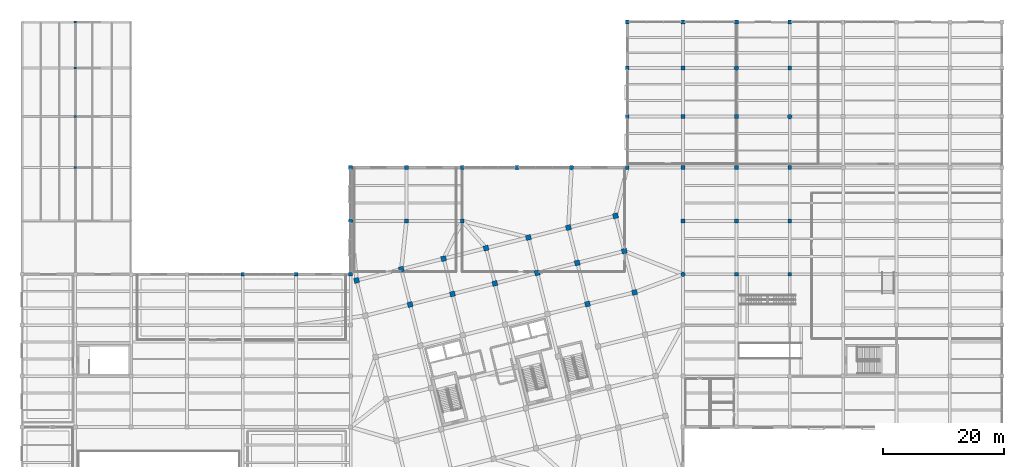
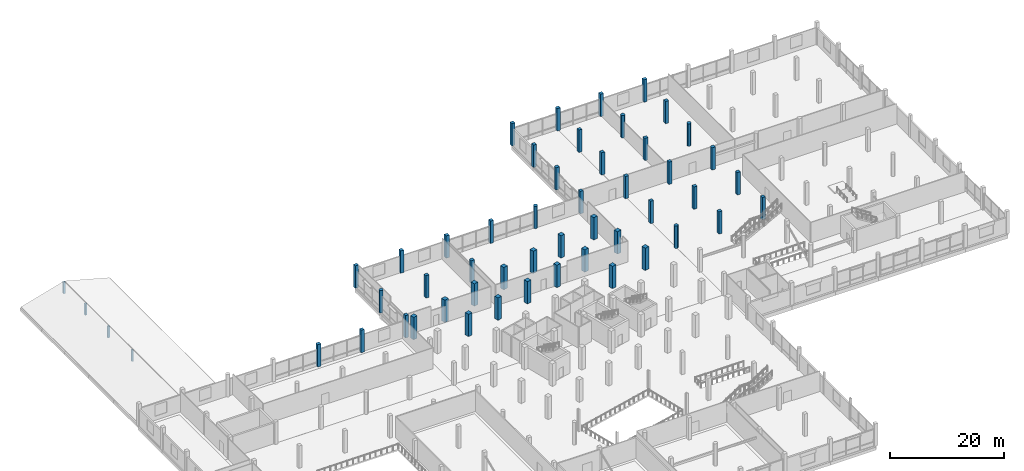
# One storey, part 8 of 71: 52 columns.
"""IFC4 building model written with IfcOpenShell, lengths in metres."""

from ifc_helpers import new_model, si_unit, direction, frame, origin, origin_2d, place, context, subcontext, project, spatial, rectangle, circle, extrude, material, material_profile, profile_set, type_object, element, save


model = new_model("IFC4")

# Units and contexts
model_context = context("Model", 3, precision=1e-05, world=origin(), true_north=direction((0.0, 1.0)))
body_context = subcontext(model_context, "Body", "Model", "MODEL_VIEW")
ifc_project = project(units=[si_unit("LENGTHUNIT", "METRE"), si_unit("AREAUNIT", "SQUARE_METRE"), si_unit("VOLUMEUNIT", "CUBIC_METRE"), si_unit("PLANEANGLEUNIT", "RADIAN"), si_unit("MASSUNIT", "GRAM", prefix="KILO")], contexts=[model_context])

# Site, building, storey
site_placement = place(None, origin())
site = spatial("IfcSite", under=ifc_project, at=site_placement, CompositionType="ELEMENT")
building_placement = place(site_placement, origin())
building = spatial("IfcBuilding", under=site, at=building_placement, Name="Meriwether Solvik Hall", CompositionType="ELEMENT")
storey_placement = place(building_placement, frame((0.0, 0.0, 5.10009765625)))
storey = spatial("IfcBuildingStorey", under=building, at=storey_placement, Name="L01", CompositionType="ELEMENT", Elevation=5.10009765625)

# Columns
ifc_material_1 = material(Name="Glulam Douglas-Fir L2 GL28c", Category="wood")
ifc_material_profile_1 = material_profile(ifc_material_1, rectangle(XDim=0.364990234375, YDim=0.364990234375, at=origin_2d()), Name="GLC-365X365")
ifc_profile_set_1 = profile_set([ifc_material_profile_1], Name="Glulam Douglas-Fir L2 GL28c")
column_type_1 = type_object("IfcColumnType", Name="COL-GL-365X365", PredefinedType="COLUMN", material=ifc_profile_set_1)
for number, where, z_axis, x_axis, name in (
    (1, (14.0, 92.800048828125, 0.0), (0.0, 0.0, 1.0), (1.0, 0.0, 0.0), "Roof Ridge Post 2/K (L01)"),
    (2, (14.0, 101.199951171875, 0.0), (0.0, 0.0, 1.0), (1.0, 0.0, 0.0), "Roof Ridge Post 2/L (L01)"),
    (3, (14.0, 109.199951171875, 0.0), (0.0, 0.0, 1.0), (1.0, 0.0, 0.0), "Roof Ridge Post 2/M (L01)"),
    (4, (14.0, 116.800048828125, 0.0), (0.0, 0.0, 1.0), (1.0, 0.0, 0.0), "Roof Ridge Post 2/N (L01)"),
):
    element("IfcColumn", number, at=place(storey_placement, frame(where, z_axis=z_axis, x_axis=x_axis)), inside=storey, type_object=column_type_1, Name=name, PredefinedType="COLUMN", context=body_context, shape_type="SweptSolid", body=[
        extrude(rectangle(XDim=0.364990234375, YDim=0.364990234375, at=origin_2d()), origin(), (0.0, 0.0, 1.0), 2.461181640625),
    ])
ifc_material_2 = material(Name="Concrete C40/50", Category="concrete")
ifc_material_profile_2 = material_profile(ifc_material_2, rectangle(XDim=0.64990234375, YDim=0.64990234375, at=origin_2d()), Name="RCC-650X650")
ifc_profile_set_2 = profile_set([ifc_material_profile_2], Name="Concrete C40/50")
column_type_2 = type_object("IfcColumnType", Name="COL-RC-650", PredefinedType="COLUMN", material=ifc_profile_set_2)
for number, where, z_axis, x_axis, name in (
    (5, (41.60009765625, 75.199951171875, 0.0), (0.0, 0.0, 1.0), (1.0, 0.0, 0.0), "Podium Column 5/I (L01)"),
    (6, (50.39990234375, 75.199951171875, 0.0), (0.0, 0.0, 1.0), (1.0, 0.0, 0.0), "Podium Column 6/I (L01)"),
    (7, (59.39990234375, 75.199951171875, 0.0), (0.0, 0.0, 1.0), (1.0, 0.0, 0.0), "Podium Column 7/I (L01)"),
    (8, (59.39990234375, 92.800048828125, 0.0), (0.0, 0.0, 1.0), (1.0, 0.0, 0.0), "Podium Column 7/K (L01)"),
    (9, (68.60009765625, 84.0, 0.0), (0.0, 0.0, 1.0), (1.0, 0.0, 0.0), "Podium Column 8/J (L01)"),
    (10, (68.60009765625, 92.800048828125, 0.0), (0.0, 0.0, 1.0), (1.0, 0.0, 0.0), "Podium Column 8/K (L01)"),
    (11, (77.800048828125, 84.0, 0.0), (0.0, 0.0, 1.0), (1.0, 0.0, 0.0), "Podium Column 9/J (L01)"),
    (12, (77.800048828125, 92.800048828125, 0.0), (0.0, 0.0, 1.0), (1.0, 0.0, 0.0), "Podium Column 9/K (L01)"),
    (13, (86.800048828125, 92.800048828125, 0.0), (0.0, 0.0, 1.0), (1.0, 0.0, 0.0), "Podium Column 10/K (L01)"),
    (14, (105.0, 92.800048828125, 0.0), (0.0, 0.0, 1.0), (1.0, 0.0, 0.0), "Podium Column 12/K (L01)"),
    (15, (105.0, 101.199951171875, 0.0), (0.0, 0.0, 1.0), (1.0, 0.0, 0.0), "Podium Column 12/L (L01)"),
    (16, (105.0, 109.199951171875, 0.0), (0.0, 0.0, 1.0), (1.0, 0.0, 0.0), "Podium Column 12/M (L01)"),
    (17, (105.0, 116.800048828125, 0.0), (0.0, 0.0, 1.0), (1.0, 0.0, 0.0), "Podium Column 12/N (L01)"),
    (18, (114.199951171875, 84.0, 0.0), (0.0, 0.0, 1.0), (1.0, 0.0, 0.0), "Podium Column 13/J (L01)"),
    (19, (114.199951171875, 92.800048828125, 0.0), (0.0, 0.0, 1.0), (1.0, 0.0, 0.0), "Podium Column 13/K (L01)"),
    (20, (114.199951171875, 101.199951171875, 0.0), (0.0, 0.0, 1.0), (1.0, 0.0, 0.0), "Podium Column 13/L (L01)"),
    (21, (114.199951171875, 109.199951171875, 0.0), (0.0, 0.0, 1.0), (1.0, 0.0, 0.0), "Podium Column 13/M (L01)"),
    (22, (114.199951171875, 116.800048828125, 0.0), (0.0, 0.0, 1.0), (1.0, 0.0, 0.0), "Podium Column 13/N (L01)"),
    (23, (123.0, 75.199951171875, 0.0), (0.0, 0.0, 1.0), (1.0, 0.0, 0.0), "Podium Column 14/I (L01)"),
    (24, (123.0, 84.0, 0.0), (0.0, 0.0, 1.0), (1.0, 0.0, 0.0), "Podium Column 14/J (L01)"),
    (25, (123.0, 92.800048828125, 0.0), (0.0, 0.0, 1.0), (1.0, 0.0, 0.0), "Podium Column 14/K (L01)"),
    (26, (123.0, 101.199951171875, 0.0), (0.0, 0.0, 1.0), (1.0, 0.0, 0.0), "Podium Column 14/L (L01)"),
    (27, (123.0, 116.800048828125, 0.0), (0.0, 0.0, 1.0), (1.0, 0.0, 0.0), "Podium Column 14/N (L01)"),
    (28, (131.800048828125, 75.199951171875, 0.0), (0.0, 0.0, 1.0), (1.0, 0.0, 0.0), "Podium Column 15/I (L01)"),
    (29, (131.800048828125, 84.0, 0.0), (0.0, 0.0, 1.0), (1.0, 0.0, 0.0), "Podium Column 15/J (L01)"),
    (30, (131.800048828125, 92.800048828125, 0.0), (0.0, 0.0, 1.0), (1.0, 0.0, 0.0), "Podium Column 15/K (L01)"),
    (31, (131.800048828125, 109.199951171875, 0.0), (0.0, 0.0, 1.0), (1.0, 0.0, 0.0), "Podium Column 15/M (L01)"),
    (32, (131.800048828125, 116.800048828125, 0.0), (0.0, 0.0, 1.0), (1.0, 0.0, 0.0), "Podium Column 15/N (L01)"),
):
    element("IfcColumn", number, at=place(storey_placement, frame(where, z_axis=z_axis, x_axis=x_axis)), inside=storey, type_object=column_type_2, Name=name, PredefinedType="COLUMN", context=body_context, shape_type="SweptSolid", body=[
        extrude(rectangle(XDim=0.64990234375, YDim=0.64990234375, at=origin_2d()), origin(), (0.0, 0.0, 1.0), 4.7998046875),
    ])
ifc_material_3 = material(Name="Concrete C40/50", Category="concrete")
ifc_material_profile_3 = material_profile(ifc_material_3, rectangle(XDim=0.85009765625, YDim=0.85009765625, at=origin_2d()), Name="RCC-850X850")
ifc_profile_set_3 = profile_set([ifc_material_profile_3], Name="Concrete C40/50")
column_type_3 = type_object("IfcColumnType", Name="COL-RC-850", PredefinedType="COLUMN", material=ifc_profile_set_3)
for number, where, z_axis, x_axis, name in (
    (33, (60.374755859375, 74.18994140625, 0.0), (0.0, 0.0, 1.0), (0.970295726276, 0.2419218956, 0.0), "Tower Column T1/TF (L01)"),
    (34, (69.200439453125, 70.206787109375, 0.0), (0.0, 0.0, 1.0), (0.970295726276, 0.2419218956, 0.0), "Tower Column T2/TE (L01)"),
    (35, (67.7490234375, 76.028564453125, 0.0), (0.0, 0.0, 1.0), (0.970295726276, 0.2419218956, 0.0), "Tower Column T2/TF (L01)"),
    (36, (76.1865234375, 71.94873046875, 0.0), (0.0, 0.0, 1.0), (0.970295726276, 0.2419218956, 0.0), "Tower Column T3/TE (L01)"),
    (37, (74.735107421875, 77.7705078125, 0.0), (0.0, 0.0, 1.0), (0.970295726276, 0.2419218956, 0.0), "Tower Column T3/TF (L01)"),
    (38, (83.172607421875, 73.690673828125, 0.0), (0.0, 0.0, 1.0), (0.970295726276, 0.2419218956, 0.0), "Tower Column T4/TE (L01)"),
    (39, (81.72119140625, 79.512451171875, 0.0), (0.0, 0.0, 1.0), (0.970295726276, 0.2419218956, 0.0), "Tower Column T4/TF (L01)"),
    (40, (90.158935546875, 75.432373046875, 0.0), (0.0, 0.0, 1.0), (0.970295726276, 0.2419218956, 0.0), "Tower Column T5/TE (L01)"),
    (41, (88.707275390625, 81.254150390625, 0.0), (0.0, 0.0, 1.0), (0.970295726276, 0.2419218956, 0.0), "Tower Column T5/TF (L01)"),
    (42, (98.4501953125, 70.285400390625, 0.0), (0.0, 0.0, 1.0), (0.970295726276, 0.2419218956, 0.0), "Tower Column T6/TD (L01)"),
    (43, (96.7568359375, 77.077392578125, 0.0), (0.0, 0.0, 1.0), (0.970295726276, 0.2419218956, 0.0), "Tower Column T6/TE (L01)"),
    (44, (95.305419921875, 82.899169921875, 0.0), (0.0, 0.0, 1.0), (0.970295726276, 0.2419218956, 0.0), "Tower Column T6/TF (L01)"),
    (45, (106.212646484375, 72.220703125, 0.0), (0.0, 0.0, 1.0), (0.970295726276, 0.2419218956, 0.0), "Tower Column T7/TD (L01)"),
    (46, (104.519287109375, 79.012939453125, 0.0), (0.0, 0.0, 1.0), (0.970295726276, 0.2419218956, 0.0), "Tower Column T7/TE (L01)"),
    (47, (103.067626953125, 84.834716796875, 0.0), (0.0, 0.0, 1.0), (0.970295726276, 0.2419218956, 0.0), "Tower Column T7/TF (L01)"),
):
    element("IfcColumn", number, at=place(storey_placement, frame(where, z_axis=z_axis, x_axis=x_axis)), inside=storey, type_object=column_type_3, Name=name, PredefinedType="COLUMN", context=body_context, shape_type="SweptSolid", body=[
        extrude(rectangle(XDim=0.85009765625, YDim=0.85009765625, at=origin_2d()), origin(), (0.0, 0.0, 1.0), 4.7998046875),
    ])
ifc_material_4 = material(Name="Concrete C40/50", Category="concrete")
ifc_material_profile_4 = material_profile(ifc_material_4, circle(Radius=0.375, at=origin_2d()), Name="RCC-D750")
ifc_profile_set_4 = profile_set([ifc_material_profile_4], Name="Concrete C40/50")
column_type_4 = type_object("IfcColumnType", Name="COL-RC-D750", PredefinedType="COLUMN", material=ifc_profile_set_4)
for number, where, z_axis, x_axis, name in (
    (48, (59.39990234375, 84.0, 0.0), (0.0, 0.0, 1.0), (1.0, 0.0, 0.0), "Podium Column 7/J (L01)"),
    (49, (95.800048828125, 92.800048828125, 0.0), (0.0, 0.0, 1.0), (1.0, 0.0, 0.0), "Podium Column 11/K (L01)"),
    (50, (114.199951171875, 75.199951171875, 0.0), (0.0, 0.0, 1.0), (1.0, 0.0, 0.0), "Podium Column 13/I (L01)"),
    (51, (123.0, 109.199951171875, 0.0), (0.0, 0.0, 1.0), (1.0, 0.0, 0.0), "Podium Column 14/M (L01)"),
    (52, (131.800048828125, 101.199951171875, 0.0), (0.0, 0.0, 1.0), (1.0, 0.0, 0.0), "Podium Column 15/L (L01)"),
):
    element("IfcColumn", number, at=place(storey_placement, frame(where, z_axis=z_axis, x_axis=x_axis)), inside=storey, type_object=column_type_4, Name=name, PredefinedType="COLUMN", context=body_context, shape_type="SweptSolid", body=[
        extrude(circle(Radius=0.375, at=origin_2d()), origin(), (0.0, 0.0, 1.0), 4.7998046875),
    ])

save(model, "model.ifc")
